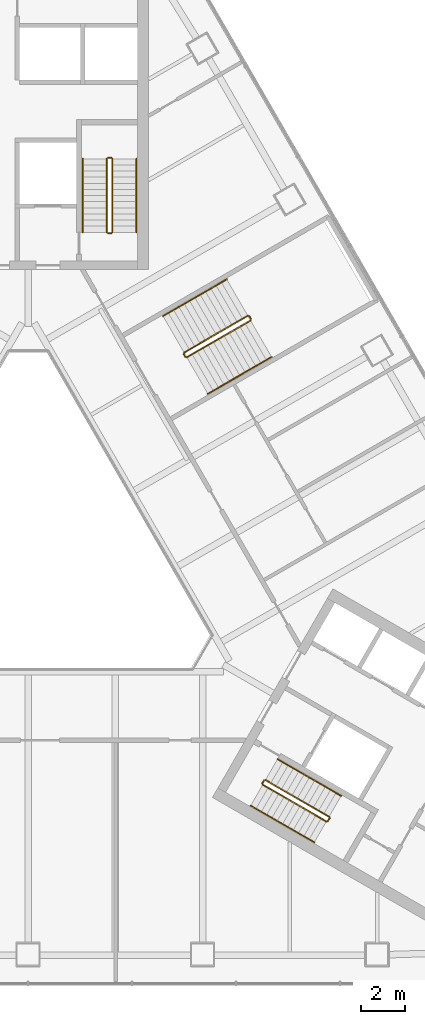
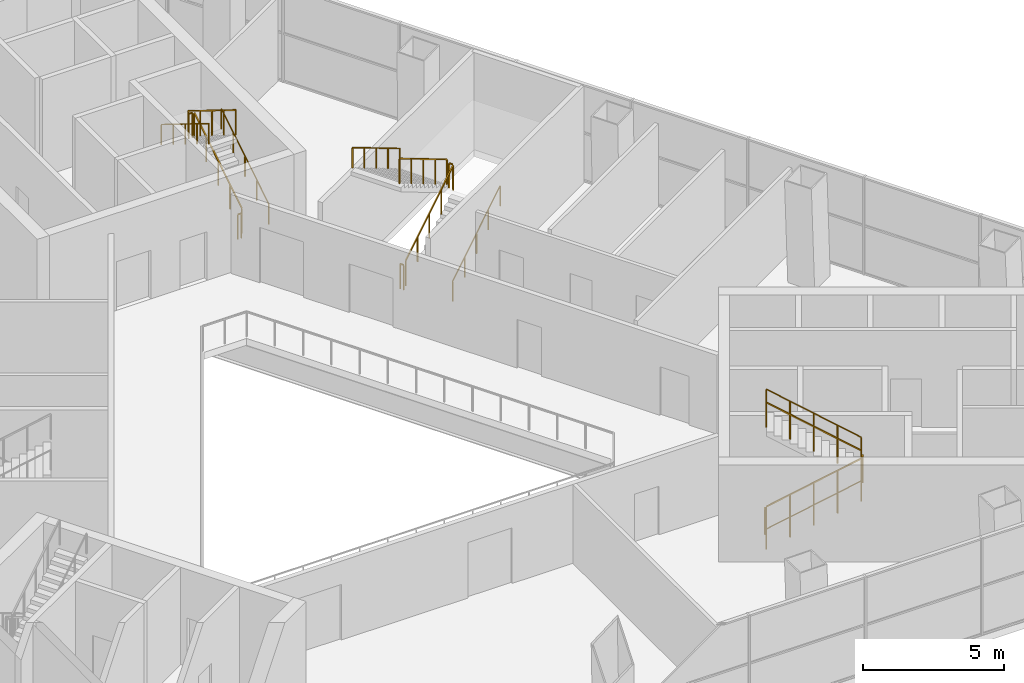
# One storey, part 12 of 12: 18 railings.
"""IFC4 building model written with IfcOpenShell, lengths in metres."""

from ifc_helpers import new_model, si_unit, direction, frame, origin, origin_2d, place, context, subcontext, project, spatial, rectangle, circle, extrude, material, type_object, element, save


model = new_model("IFC4")

# Units and contexts
model_context = context("Model", 3, precision=1e-05, world=origin(), true_north=direction((0.0, 1.0)))
body_context = subcontext(model_context, "Body", "Model", "MODEL_VIEW")
ifc_project = project(units=[si_unit("LENGTHUNIT", "METRE"), si_unit("AREAUNIT", "SQUARE_METRE"), si_unit("VOLUMEUNIT", "CUBIC_METRE"), si_unit("PLANEANGLEUNIT", "RADIAN"), si_unit("MASSUNIT", "GRAM", prefix="KILO")], contexts=[model_context])

# Site, building, storey
site_placement = place(None, origin())
site = spatial("IfcSite", under=ifc_project, at=site_placement, CompositionType="ELEMENT")
building_placement = place(site_placement, origin())
building = spatial("IfcBuilding", under=site, at=building_placement, Name="Apuvela Tower Hotel", CompositionType="ELEMENT")
storey_placement = place(building_placement, frame((0.0, 0.0, 28.5)))
storey = spatial("IfcBuildingStorey", under=building, at=storey_placement, Name="L04", CompositionType="ELEMENT", Elevation=28.5)

# Railings
ifc_material_1 = material(Name="Steel S275 balustrade", Category="steel")
railing_type_1 = type_object("IfcRailingType", Name="COR-GUARD-1100", PredefinedType="GUARDRAIL", material=ifc_material_1)
railing_1_placement = place(storey_placement, frame((3.85009765625, 14.60009765625, 0.173095703125)))
element("IfcRailing", 1, at=railing_1_placement, inside=storey, type_object=railing_type_1, Name="L04 ST1 stair guard 1", PredefinedType="GUARDRAIL", context=body_context, shape_type="SweptSolid", body=[
    extrude(rectangle(XDim=0.048095703125, YDim=0.048095703125, at=origin_2d()), frame((0.0, 0.0, 1.076171875), z_axis=(0.0, 0.850606129759, 0.525803396734), x_axis=(-1.0, 0.0, 0.0)), (0.0, 0.0, 1.0), 3.949951171875),
    extrude(rectangle(XDim=0.0419921875, YDim=0.0419921875, at=origin_2d()), origin(), (0.0, 0.0, 1.0), 1.052001953125),
    extrude(rectangle(XDim=0.0419921875, YDim=0.0419921875, at=origin_2d()), frame((0.0, 0.83984375, 0.519287109375)), (0.0, 0.0, 1.0), 1.052001953125),
    extrude(rectangle(XDim=0.0419921875, YDim=0.0419921875, at=origin_2d()), frame((0.0, 1.679931640625, 1.03857421875)), (0.0, 0.0, 1.0), 1.052001953125),
    extrude(rectangle(XDim=0.0419921875, YDim=0.0419921875, at=origin_2d()), frame((0.0, 2.52001953125, 1.5576171875)), (0.0, 0.0, 1.0), 1.052001953125),
    extrude(rectangle(XDim=0.0419921875, YDim=0.0419921875, at=origin_2d()), frame((0.0, 3.35986328125, 2.076904296875)), (0.0, 0.0, 1.0), 1.052001953125),
])
railing_2_placement = place(storey_placement, frame((3.800048828125, 18.010009765625, 2.25)))
element("IfcRailing", 2, at=railing_2_placement, inside=storey, type_object=railing_type_1, Name="L04 ST1 stair guard 2", PredefinedType="GUARDRAIL", context=body_context, shape_type="SweptSolid", body=[
    extrude(rectangle(XDim=0.048095703125, YDim=0.048095703125, at=origin_2d()), frame((0.0, 0.0, 1.076171875), z_axis=(-1.0, 0.0, 0.0), x_axis=(0.0, -1.0, 0.0)), (0.0, 0.0, 1.0), 0.150146484375),
    extrude(rectangle(XDim=0.0419921875, YDim=0.0419921875, at=origin_2d()), origin(), (0.0, 0.0, 1.0), 1.052001953125),
    extrude(rectangle(XDim=0.0419921875, YDim=0.0419921875, at=origin_2d()), frame((-0.150146484375, 0.0, 0.0)), (0.0, 0.0, 1.0), 1.052001953125),
])
railing_3_placement = place(storey_placement, frame((3.60009765625, 17.9599609375, 2.423095703125)))
element("IfcRailing", 3, at=railing_3_placement, inside=storey, type_object=railing_type_1, Name="L04 ST1 stair guard 3", PredefinedType="GUARDRAIL", context=body_context, shape_type="SweptSolid", body=[
    extrude(rectangle(XDim=0.048095703125, YDim=0.048095703125, at=origin_2d()), frame((0.0, 0.0, 1.076171875), z_axis=(0.0, -0.850606129759, 0.525803396734), x_axis=(1.0, 0.0, 0.0)), (0.0, 0.0, 1.0), 3.949951171875),
    extrude(rectangle(XDim=0.0419921875, YDim=0.0419921875, at=origin_2d()), origin(), (0.0, 0.0, 1.0), 1.052001953125),
    extrude(rectangle(XDim=0.0419921875, YDim=0.0419921875, at=origin_2d()), frame((0.0, -0.83984375, 0.519287109375)), (0.0, 0.0, 1.0), 1.052001953125),
    extrude(rectangle(XDim=0.0419921875, YDim=0.0419921875, at=origin_2d()), frame((0.0, -1.679931640625, 1.03857421875)), (0.0, 0.0, 1.0), 1.052001953125),
    extrude(rectangle(XDim=0.0419921875, YDim=0.0419921875, at=origin_2d()), frame((0.0, -2.52001953125, 1.5576171875)), (0.0, 0.0, 1.0), 1.052001953125),
    extrude(rectangle(XDim=0.0419921875, YDim=0.0419921875, at=origin_2d()), frame((0.0, -3.35986328125, 2.076904296875)), (0.0, 0.0, 1.0), 1.052001953125),
])
railing_4_placement = place(storey_placement, frame((3.800048828125, 14.550048828125, 0.0)))
element("IfcRailing", 4, at=railing_4_placement, inside=storey, type_object=railing_type_1, Name="L04 ST1 stair guard 4", PredefinedType="GUARDRAIL", context=body_context, shape_type="SweptSolid", body=[
    extrude(rectangle(XDim=0.048095703125, YDim=0.048095703125, at=origin_2d()), frame((0.0, 0.0, 1.076171875), z_axis=(-1.0, 0.0, 0.0), x_axis=(0.0, -1.0, 0.0)), (0.0, 0.0, 1.0), 0.150146484375),
    extrude(rectangle(XDim=0.0419921875, YDim=0.0419921875, at=origin_2d()), origin(), (0.0, 0.0, 1.0), 1.052001953125),
    extrude(rectangle(XDim=0.0419921875, YDim=0.0419921875, at=origin_2d()), frame((-0.150146484375, 0.0, 0.0)), (0.0, 0.0, 1.0), 1.052001953125),
])
railing_5_placement = place(storey_placement, frame((10.718994140625, -10.63427734375, 0.173095703125)))
element("IfcRailing", 5, at=railing_5_placement, inside=storey, type_object=railing_type_1, Name="L04 ST3 stair guard 1", PredefinedType="GUARDRAIL", context=body_context, shape_type="SweptSolid", body=[
    extrude(rectangle(XDim=0.048095703125, YDim=0.048095703125, at=origin_2d()), frame((0.0, 0.0, 1.076171875), z_axis=(0.736667954249, -0.425288379326, 0.525785240943), x_axis=(0.499976138585, 0.866039179741, 0.0)), (0.0, 0.0, 1.0), 3.9501953125),
    extrude(rectangle(XDim=0.0419921875, YDim=0.0419921875, at=origin_2d()), origin(), (0.0, 0.0, 1.0), 1.052001953125),
    extrude(rectangle(XDim=0.0419921875, YDim=0.0419921875, at=origin_2d()), frame((0.7275390625, -0.419921875, 0.519287109375)), (0.0, 0.0, 1.0), 1.052001953125),
    extrude(rectangle(XDim=0.0419921875, YDim=0.0419921875, at=origin_2d()), frame((1.455078125, -0.83984375, 1.03857421875)), (0.0, 0.0, 1.0), 1.052001953125),
    extrude(rectangle(XDim=0.0419921875, YDim=0.0419921875, at=origin_2d()), frame((2.182373046875, -1.260009765625, 1.5576171875)), (0.0, 0.0, 1.0), 1.052001953125),
    extrude(rectangle(XDim=0.0419921875, YDim=0.0419921875, at=origin_2d()), frame((2.909912109375, -1.679931640625, 2.076904296875)), (0.0, 0.0, 1.0), 1.052001953125),
])
railing_6_placement = place(storey_placement, frame((13.697021484375, -12.2958984375, 2.25)))
element("IfcRailing", 6, at=railing_6_placement, inside=storey, type_object=railing_type_1, Name="L04 ST3 stair guard 2", PredefinedType="GUARDRAIL", context=body_context, shape_type="SweptSolid", body=[
    extrude(rectangle(XDim=0.048095703125, YDim=0.048095703125, at=origin_2d()), frame((0.0, 0.0, 1.076171875), z_axis=(0.501036270542, 0.865426285481, 0.0), x_axis=(-0.865426285481, 0.501036270542, 0.0)), (0.0, 0.0, 1.0), 0.150146484375),
    extrude(rectangle(XDim=0.0419921875, YDim=0.0419921875, at=origin_2d()), origin(), (0.0, 0.0, 1.0), 1.052001953125),
    extrude(rectangle(XDim=0.0419921875, YDim=0.0419921875, at=origin_2d()), frame((0.0751953125, 0.1298828125, 0.0)), (0.0, 0.0, 1.0), 1.052001953125),
])
railing_7_placement = place(storey_placement, frame((13.75390625, -12.09765625, 2.423095703125)))
element("IfcRailing", 7, at=railing_7_placement, inside=storey, type_object=railing_type_1, Name="L04 ST3 stair guard 3", PredefinedType="GUARDRAIL", context=body_context, shape_type="SweptSolid", body=[
    extrude(rectangle(XDim=0.048095703125, YDim=0.048095703125, at=origin_2d()), frame((0.0, 0.0, 1.076171875), z_axis=(-0.736667954249, 0.425288379326, 0.525785240943), x_axis=(-0.499976138585, -0.866039179741, 0.0)), (0.0, 0.0, 1.0), 3.9501953125),
    extrude(rectangle(XDim=0.0419921875, YDim=0.0419921875, at=origin_2d()), origin(), (0.0, 0.0, 1.0), 1.052001953125),
    extrude(rectangle(XDim=0.0419921875, YDim=0.0419921875, at=origin_2d()), frame((-0.7275390625, 0.419921875, 0.519287109375)), (0.0, 0.0, 1.0), 1.052001953125),
    extrude(rectangle(XDim=0.0419921875, YDim=0.0419921875, at=origin_2d()), frame((-1.455078125, 0.83984375, 1.03857421875)), (0.0, 0.0, 1.0), 1.052001953125),
    extrude(rectangle(XDim=0.0419921875, YDim=0.0419921875, at=origin_2d()), frame((-2.182373046875, 1.260009765625, 1.5576171875)), (0.0, 0.0, 1.0), 1.052001953125),
    extrude(rectangle(XDim=0.0419921875, YDim=0.0419921875, at=origin_2d()), frame((-2.909912109375, 1.679931640625, 2.076904296875)), (0.0, 0.0, 1.0), 1.052001953125),
])
railing_8_placement = place(storey_placement, frame((10.70068359375, -10.56591796875, 0.0)))
element("IfcRailing", 8, at=railing_8_placement, inside=storey, type_object=railing_type_1, Name="L04 ST3 stair guard 4", PredefinedType="GUARDRAIL", context=body_context, shape_type="SweptSolid", body=[
    extrude(rectangle(XDim=0.048095703125, YDim=0.048095703125, at=origin_2d()), frame((0.0, 0.0, 1.076171875), z_axis=(0.499816412211, 0.866131372301, 0.0), x_axis=(-0.866131372301, 0.499816412211, 0.0)), (0.0, 0.0, 1.0), 0.14990234375),
    extrude(rectangle(XDim=0.0419921875, YDim=0.0419921875, at=origin_2d()), origin(), (0.0, 0.0, 1.0), 1.052001953125),
    extrude(rectangle(XDim=0.0419921875, YDim=0.0419921875, at=origin_2d()), frame((0.074951171875, 0.1298828125, 0.0)), (0.0, 0.0, 1.0), 1.052001953125),
])
ifc_material_2 = material(Name="Stainless steel 316 handrail", Category="steel")
railing_type_2 = type_object("IfcRailingType", Name="COR-HANDRAIL-900", PredefinedType="HANDRAIL", material=ifc_material_2)
railing_9_placement = place(storey_placement, frame((4.949951171875, 14.60009765625, 0.173095703125)))
element("IfcRailing", 9, at=railing_9_placement, inside=storey, type_object=railing_type_2, Name="L04 ST1 stair handrail 1", PredefinedType="HANDRAIL", context=body_context, shape_type="SweptSolid", body=[
    extrude(circle(Radius=0.02392578125, at=origin_2d()), frame((0.0, 0.0, 0.8759765625), z_axis=(0.0, 0.850606129759, 0.525803396734), x_axis=(-1.0, 0.0, 0.0)), (0.0, 0.0, 1.0), 3.949951171875),
    extrude(rectangle(XDim=0.0419921875, YDim=0.0419921875, at=origin_2d()), origin(), (0.0, 0.0, 1.0), 0.851806640625),
    extrude(rectangle(XDim=0.0419921875, YDim=0.0419921875, at=origin_2d()), frame((0.0, 0.83984375, 0.519287109375)), (0.0, 0.0, 1.0), 0.851806640625),
    extrude(rectangle(XDim=0.0419921875, YDim=0.0419921875, at=origin_2d()), frame((0.0, 1.679931640625, 1.03857421875)), (0.0, 0.0, 1.0), 0.851806640625),
    extrude(rectangle(XDim=0.0419921875, YDim=0.0419921875, at=origin_2d()), frame((0.0, 2.52001953125, 1.5576171875)), (0.0, 0.0, 1.0), 0.851806640625),
    extrude(rectangle(XDim=0.0419921875, YDim=0.0419921875, at=origin_2d()), frame((0.0, 3.35986328125, 2.076904296875)), (0.0, 0.0, 1.0), 0.851806640625),
])
railing_10_placement = place(storey_placement, frame((2.5, 17.9599609375, 2.423095703125)))
element("IfcRailing", 10, at=railing_10_placement, inside=storey, type_object=railing_type_2, Name="L04 ST1 stair handrail 2", PredefinedType="HANDRAIL", context=body_context, shape_type="SweptSolid", body=[
    extrude(circle(Radius=0.02392578125, at=origin_2d()), frame((0.0, 0.0, 0.8759765625), z_axis=(0.0, -0.850606129759, 0.525803396734), x_axis=(1.0, 0.0, 0.0)), (0.0, 0.0, 1.0), 3.949951171875),
    extrude(rectangle(XDim=0.0419921875, YDim=0.0419921875, at=origin_2d()), origin(), (0.0, 0.0, 1.0), 0.851806640625),
    extrude(rectangle(XDim=0.0419921875, YDim=0.0419921875, at=origin_2d()), frame((0.0, -0.83984375, 0.519287109375)), (0.0, 0.0, 1.0), 0.851806640625),
    extrude(rectangle(XDim=0.0419921875, YDim=0.0419921875, at=origin_2d()), frame((0.0, -1.679931640625, 1.03857421875)), (0.0, 0.0, 1.0), 0.851806640625),
    extrude(rectangle(XDim=0.0419921875, YDim=0.0419921875, at=origin_2d()), frame((0.0, -2.52001953125, 1.5576171875)), (0.0, 0.0, 1.0), 0.851806640625),
    extrude(rectangle(XDim=0.0419921875, YDim=0.0419921875, at=origin_2d()), frame((0.0, -3.35986328125, 2.076904296875)), (0.0, 0.0, 1.0), 0.851806640625),
])
railing_11_placement = place(storey_placement, frame((10.1689453125, -11.5869140625, 0.173095703125)))
element("IfcRailing", 11, at=railing_11_placement, inside=storey, type_object=railing_type_2, Name="L04 ST3 stair handrail 1", PredefinedType="HANDRAIL", context=body_context, shape_type="SweptSolid", body=[
    extrude(circle(Radius=0.02392578125, at=origin_2d()), frame((0.0, 0.0, 0.8759765625), z_axis=(0.736667954249, -0.425288379326, 0.525785240943), x_axis=(0.499976138585, 0.866039179741, 0.0)), (0.0, 0.0, 1.0), 3.9501953125),
    extrude(rectangle(XDim=0.0419921875, YDim=0.0419921875, at=origin_2d()), origin(), (0.0, 0.0, 1.0), 0.851806640625),
    extrude(rectangle(XDim=0.0419921875, YDim=0.0419921875, at=origin_2d()), frame((0.7275390625, -0.419921875, 0.519287109375)), (0.0, 0.0, 1.0), 0.851806640625),
    extrude(rectangle(XDim=0.0419921875, YDim=0.0419921875, at=origin_2d()), frame((1.455078125, -0.83984375, 1.03857421875)), (0.0, 0.0, 1.0), 0.851806640625),
    extrude(rectangle(XDim=0.0419921875, YDim=0.0419921875, at=origin_2d()), frame((2.182373046875, -1.260009765625, 1.5576171875)), (0.0, 0.0, 1.0), 0.851806640625),
    extrude(rectangle(XDim=0.0419921875, YDim=0.0419921875, at=origin_2d()), frame((2.909912109375, -1.679931640625, 2.076904296875)), (0.0, 0.0, 1.0), 0.851806640625),
])
railing_12_placement = place(storey_placement, frame((14.3037109375, -11.14501953125, 2.423095703125)))
element("IfcRailing", 12, at=railing_12_placement, inside=storey, type_object=railing_type_2, Name="L04 ST3 stair handrail 2", PredefinedType="HANDRAIL", context=body_context, shape_type="SweptSolid", body=[
    extrude(circle(Radius=0.02392578125, at=origin_2d()), frame((0.0, 0.0, 0.8759765625), z_axis=(-0.736639687092, 0.425307743487, 0.525809180911), x_axis=(-0.500007602105, -0.866021014662, 0.0)), (0.0, 0.0, 1.0), 3.949951171875),
    extrude(rectangle(XDim=0.0419921875, YDim=0.0419921875, at=origin_2d()), origin(), (0.0, 0.0, 1.0), 0.851806640625),
    extrude(rectangle(XDim=0.0419921875, YDim=0.0419921875, at=origin_2d()), frame((-0.7275390625, 0.419921875, 0.519287109375)), (0.0, 0.0, 1.0), 0.851806640625),
    extrude(rectangle(XDim=0.0419921875, YDim=0.0419921875, at=origin_2d()), frame((-1.454833984375, 0.83984375, 1.03857421875)), (0.0, 0.0, 1.0), 0.851806640625),
    extrude(rectangle(XDim=0.0419921875, YDim=0.0419921875, at=origin_2d()), frame((-2.18212890625, 1.260009765625, 1.5576171875)), (0.0, 0.0, 1.0), 0.851806640625),
    extrude(rectangle(XDim=0.0419921875, YDim=0.0419921875, at=origin_2d()), frame((-2.90966796875, 1.679931640625, 2.076904296875)), (0.0, 0.0, 1.0), 0.851806640625),
])
ifc_material_3 = material(Name="Steel S355 guard with laminated glass infill", Category="steel")
railing_type_3 = type_object("IfcRailingType", Name="SPC-GUARD-1100", PredefinedType="GUARDRAIL", material=ifc_material_3)
railing_13_placement = place(storey_placement, frame((7.250732421875, 8.8916015625, 0.173095703125)))
element("IfcRailing", 13, at=railing_13_placement, inside=storey, type_object=railing_type_3, Name="L04 PS1 stair guard 1", PredefinedType="GUARDRAIL", context=body_context, shape_type="SweptSolid", body=[
    extrude(rectangle(XDim=0.048095703125, YDim=0.048095703125, at=origin_2d()), frame((0.0, 0.0, 1.076171875), z_axis=(0.736639687092, 0.425307743487, 0.525809180911), x_axis=(-0.500007602105, 0.866021014662, 0.0)), (0.0, 0.0, 1.0), 3.949951171875),
    extrude(rectangle(XDim=0.0419921875, YDim=0.0419921875, at=origin_2d()), origin(), (0.0, 0.0, 1.0), 1.052001953125),
    extrude(rectangle(XDim=0.0419921875, YDim=0.0419921875, at=origin_2d()), frame((0.7275390625, 0.419921875, 0.519287109375)), (0.0, 0.0, 1.0), 1.052001953125),
    extrude(rectangle(XDim=0.0419921875, YDim=0.0419921875, at=origin_2d()), frame((1.454833984375, 0.83984375, 1.03857421875)), (0.0, 0.0, 1.0), 1.052001953125),
    extrude(rectangle(XDim=0.0419921875, YDim=0.0419921875, at=origin_2d()), frame((2.18212890625, 1.260009765625, 1.5576171875)), (0.0, 0.0, 1.0), 1.052001953125),
    extrude(rectangle(XDim=0.0419921875, YDim=0.0419921875, at=origin_2d()), frame((2.90966796875, 1.679931640625, 2.076904296875)), (0.0, 0.0, 1.0), 1.052001953125),
])
railing_14_placement = place(storey_placement, frame((10.1787109375, 10.639892578125, 2.25)))
element("IfcRailing", 14, at=railing_14_placement, inside=storey, type_object=railing_type_3, Name="L04 PS1 stair guard 2", PredefinedType="GUARDRAIL", context=body_context, shape_type="SweptSolid", body=[
    extrude(rectangle(XDim=0.048095703125, YDim=0.048095703125, at=origin_2d()), frame((0.0, 0.0, 1.076171875), z_axis=(-0.499816412211, 0.866131372301, 0.0), x_axis=(-0.866131372301, -0.499816412211, 0.0)), (0.0, 0.0, 1.0), 0.14990234375),
    extrude(rectangle(XDim=0.0419921875, YDim=0.0419921875, at=origin_2d()), origin(), (0.0, 0.0, 1.0), 1.052001953125),
    extrude(rectangle(XDim=0.0419921875, YDim=0.0419921875, at=origin_2d()), frame((-0.074951171875, 0.1298828125, 0.0)), (0.0, 0.0, 1.0), 1.052001953125),
])
railing_15_placement = place(storey_placement, frame((10.035400390625, 10.7880859375, 2.423095703125)))
element("IfcRailing", 15, at=railing_15_placement, inside=storey, type_object=railing_type_3, Name="L04 PS1 stair guard 3", PredefinedType="GUARDRAIL", context=body_context, shape_type="SweptSolid", body=[
    extrude(rectangle(XDim=0.048095703125, YDim=0.048095703125, at=origin_2d()), frame((0.0, 0.0, 1.076171875), z_axis=(-0.736639687092, -0.425307743487, 0.525809180911), x_axis=(0.500007602105, -0.866021014662, 0.0)), (0.0, 0.0, 1.0), 3.949951171875),
    extrude(rectangle(XDim=0.0419921875, YDim=0.0419921875, at=origin_2d()), origin(), (0.0, 0.0, 1.0), 1.052001953125),
    extrude(rectangle(XDim=0.0419921875, YDim=0.0419921875, at=origin_2d()), frame((-0.7275390625, -0.419921875, 0.519287109375)), (0.0, 0.0, 1.0), 1.052001953125),
    extrude(rectangle(XDim=0.0419921875, YDim=0.0419921875, at=origin_2d()), frame((-1.454833984375, -0.83984375, 1.03857421875)), (0.0, 0.0, 1.0), 1.052001953125),
    extrude(rectangle(XDim=0.0419921875, YDim=0.0419921875, at=origin_2d()), frame((-2.18212890625, -1.260009765625, 1.5576171875)), (0.0, 0.0, 1.0), 1.052001953125),
    extrude(rectangle(XDim=0.0419921875, YDim=0.0419921875, at=origin_2d()), frame((-2.90966796875, -1.679931640625, 2.076904296875)), (0.0, 0.0, 1.0), 1.052001953125),
])
railing_16_placement = place(storey_placement, frame((7.182373046875, 8.909912109375, 0.0)))
element("IfcRailing", 16, at=railing_16_placement, inside=storey, type_object=railing_type_3, Name="L04 PS1 stair guard 4", PredefinedType="GUARDRAIL", context=body_context, shape_type="SweptSolid", body=[
    extrude(rectangle(XDim=0.048095703125, YDim=0.048095703125, at=origin_2d()), frame((0.0, 0.0, 1.076171875), z_axis=(-0.499816412211, 0.866131372301, 0.0), x_axis=(-0.866131372301, -0.499816412211, 0.0)), (0.0, 0.0, 1.0), 0.14990234375),
    extrude(rectangle(XDim=0.0419921875, YDim=0.0419921875, at=origin_2d()), origin(), (0.0, 0.0, 1.0), 1.052001953125),
    extrude(rectangle(XDim=0.0419921875, YDim=0.0419921875, at=origin_2d()), frame((-0.074951171875, 0.1298828125, 0.0)), (0.0, 0.0, 1.0), 1.052001953125),
])
ifc_material_4 = material(Name="Steel S355 tube handrail", Category="steel")
railing_type_4 = type_object("IfcRailingType", Name="SPC-HANDRAIL-900", PredefinedType="HANDRAIL", material=ifc_material_4)
railing_17_placement = place(storey_placement, frame((8.213134765625, 7.224365234375, 0.173095703125)))
element("IfcRailing", 17, at=railing_17_placement, inside=storey, type_object=railing_type_4, Name="L04 PS1 stair handrail 1", PredefinedType="HANDRAIL", context=body_context, shape_type="SweptSolid", body=[
    extrude(circle(Radius=0.02392578125, at=origin_2d()), frame((0.0, 0.0, 0.8759765625), z_axis=(0.736648589954, 0.42533900462, 0.52577141998), x_axis=(-0.500030632641, 0.866007717299, 0.0)), (0.0, 0.0, 1.0), 3.9501953125),
    extrude(rectangle(XDim=0.0419921875, YDim=0.0419921875, at=origin_2d()), origin(), (0.0, 0.0, 1.0), 0.851806640625),
    extrude(rectangle(XDim=0.0419921875, YDim=0.0419921875, at=origin_2d()), frame((0.7275390625, 0.419921875, 0.519287109375)), (0.0, 0.0, 1.0), 0.851806640625),
    extrude(rectangle(XDim=0.0419921875, YDim=0.0419921875, at=origin_2d()), frame((1.455078125, 0.840087890625, 1.03857421875)), (0.0, 0.0, 1.0), 0.851806640625),
    extrude(rectangle(XDim=0.0419921875, YDim=0.0419921875, at=origin_2d()), frame((2.182373046875, 1.26025390625, 1.5576171875)), (0.0, 0.0, 1.0), 0.851806640625),
    extrude(rectangle(XDim=0.0419921875, YDim=0.0419921875, at=origin_2d()), frame((2.909912109375, 1.68017578125, 2.076904296875)), (0.0, 0.0, 1.0), 0.851806640625),
])
railing_18_placement = place(storey_placement, frame((9.072998046875, 12.455078125, 2.423095703125)))
element("IfcRailing", 18, at=railing_18_placement, inside=storey, type_object=railing_type_4, Name="L04 PS1 stair handrail 2", PredefinedType="HANDRAIL", context=body_context, shape_type="SweptSolid", body=[
    extrude(circle(Radius=0.02392578125, at=origin_2d()), frame((0.0, 0.0, 0.8759765625), z_axis=(-0.736667954249, -0.425288379326, 0.525785240943), x_axis=(0.499976138585, -0.866039179741, 0.0)), (0.0, 0.0, 1.0), 3.9501953125),
    extrude(rectangle(XDim=0.0419921875, YDim=0.0419921875, at=origin_2d()), origin(), (0.0, 0.0, 1.0), 0.851806640625),
    extrude(rectangle(XDim=0.0419921875, YDim=0.0419921875, at=origin_2d()), frame((-0.7275390625, -0.419921875, 0.519287109375)), (0.0, 0.0, 1.0), 0.851806640625),
    extrude(rectangle(XDim=0.0419921875, YDim=0.0419921875, at=origin_2d()), frame((-1.455078125, -0.83984375, 1.03857421875)), (0.0, 0.0, 1.0), 0.851806640625),
    extrude(rectangle(XDim=0.0419921875, YDim=0.0419921875, at=origin_2d()), frame((-2.182373046875, -1.260009765625, 1.5576171875)), (0.0, 0.0, 1.0), 0.851806640625),
    extrude(rectangle(XDim=0.0419921875, YDim=0.0419921875, at=origin_2d()), frame((-2.909912109375, -1.679931640625, 2.076904296875)), (0.0, 0.0, 1.0), 0.851806640625),
])

save(model, "model.ifc")
